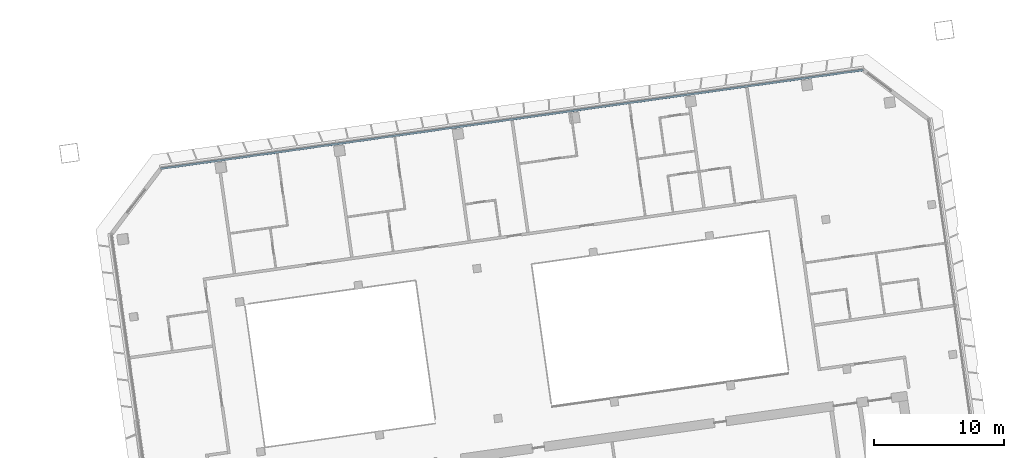
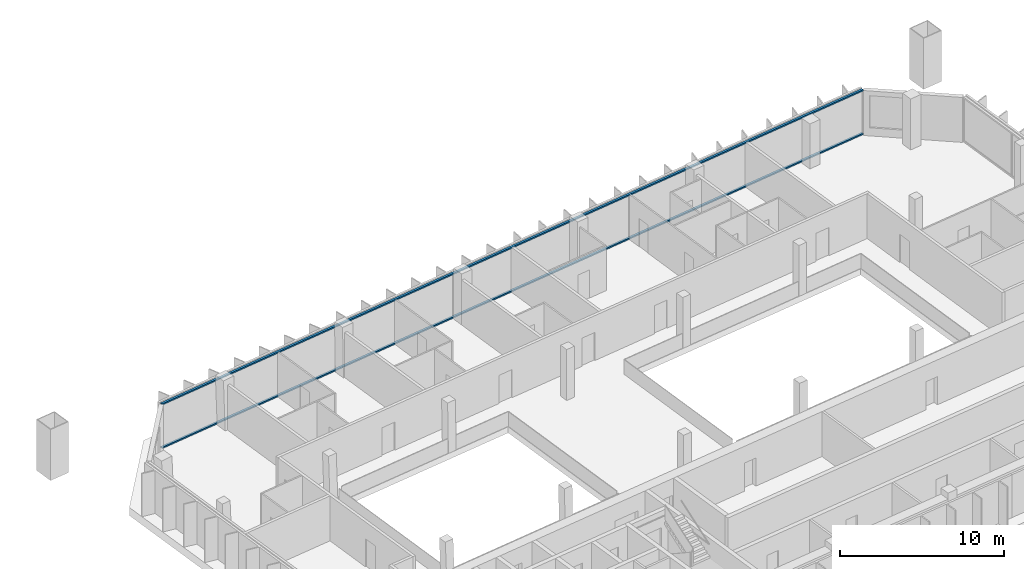
# One storey, part 12 of 25: 2 members, 1 element without a shape of its own.
"""IFC4 building model written with IfcOpenShell, lengths in metres."""

from ifc_helpers import new_model, si_unit, direction, frame, origin, origin_2d, place, context, subcontext, project, spatial, rectangle, extrude, material, material_profile, profile_set, type_object, element, aggregate, save


model = new_model("IFC4")

# Units and contexts
model_context = context("Model", 3, precision=1e-05, world=origin(), true_north=direction((0.0, 1.0)))
body_context = subcontext(model_context, "Body", "Model", "MODEL_VIEW")
ifc_project = project(units=[si_unit("LENGTHUNIT", "METRE"), si_unit("AREAUNIT", "SQUARE_METRE"), si_unit("VOLUMEUNIT", "CUBIC_METRE"), si_unit("PLANEANGLEUNIT", "RADIAN"), si_unit("MASSUNIT", "GRAM", prefix="KILO")], contexts=[model_context])

# Site, building, storey
site_placement = place(None, origin())
site = spatial("IfcSite", under=ifc_project, at=site_placement, CompositionType="ELEMENT")
building_placement = place(site_placement, origin())
building = spatial("IfcBuilding", under=site, at=building_placement, Name="Mirante Cascada Hotel Towers", CompositionType="ELEMENT")
storey_placement = place(building_placement, frame((0.0, 0.0, 172.6)))
storey = spatial("IfcBuildingStorey", under=building, at=storey_placement, Name="L40", CompositionType="ELEMENT", Elevation=172.6)

# Curtain wall, members
ifc_material_1 = material(Name="Aluminium mullion and transom frame with clear laminated glass", Category="aluminium")
curtain_wall_type = type_object("IfcCurtainWallType", Name="Ribbon curtain wall ECW1", PredefinedType="NOTDEFINED", material=ifc_material_1)
curtain_wall_placement = place(storey_placement, origin())
curtain_wall = element("IfcCurtainWall", 1, at=curtain_wall_placement, inside=storey, type_object=curtain_wall_type, Name="Front ribbon wall T2 L40", PredefinedType="NOTDEFINED")
ifc_material_2 = material(Name="Anodised aluminium extrusion", Category="aluminium")
ifc_material_profile = material_profile(ifc_material_2, rectangle(XDim=0.16, YDim=0.1, at=origin_2d()), Name="ECW1 TRANSOM 100x160")
ifc_profile_set = profile_set([ifc_material_profile], Name="Anodised aluminium extrusion")
member_type = type_object("IfcMemberType", Name="ECW1 transom 100x160", PredefinedType="USERDEFINED", material=ifc_profile_set)
member_1_placement = place(storey_placement, frame((85.2457, 24.7995, 0.05), z_axis=(-0.9902683, -0.1391718, 0.0), x_axis=(0.1391718, -0.9902683, 0.0)))
member_1 = element("IfcMember", 2, at=member_1_placement, type_object=member_type, Name="ECW1 sill transom", ObjectType="TRANSOM", PredefinedType="USERDEFINED", context=body_context, shape_type="SweptSolid", body=[
    extrude(rectangle(XDim=0.16, YDim=0.1, at=origin_2d()), origin(), (0.0, 0.0, 1.0), 54.3824),
])
member_2_placement = place(storey_placement, frame((85.2457, 24.7995, 3.3), z_axis=(-0.9902683, -0.1391718, 0.0), x_axis=(0.1391718, -0.9902683, 0.0)))
member_2 = element("IfcMember", 3, at=member_2_placement, type_object=member_type, Name="ECW1 head transom", ObjectType="TRANSOM", PredefinedType="USERDEFINED", context=body_context, shape_type="SweptSolid", body=[
    extrude(rectangle(XDim=0.16, YDim=0.1, at=origin_2d()), origin(), (0.0, 0.0, 1.0), 54.3824),
])
aggregate(curtain_wall, [member_1, member_2])

save(model, "model.ifc")
